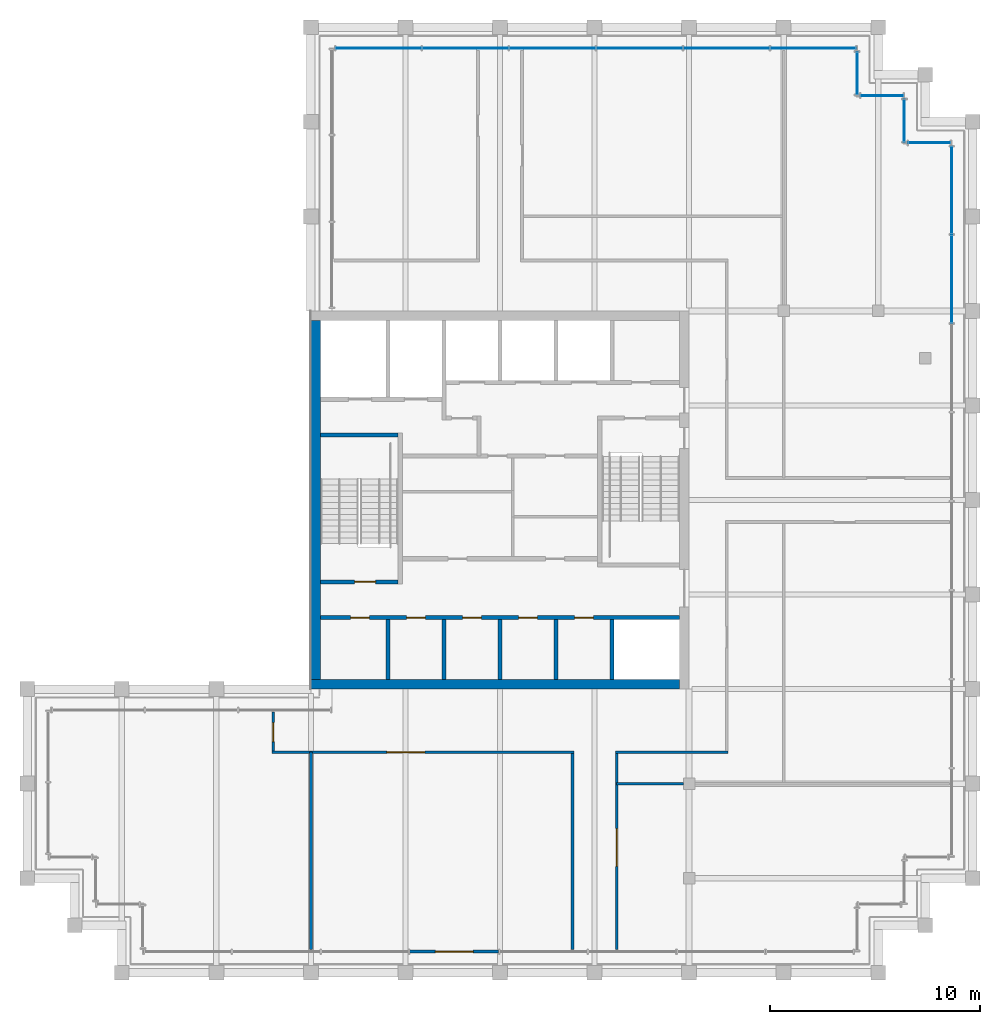
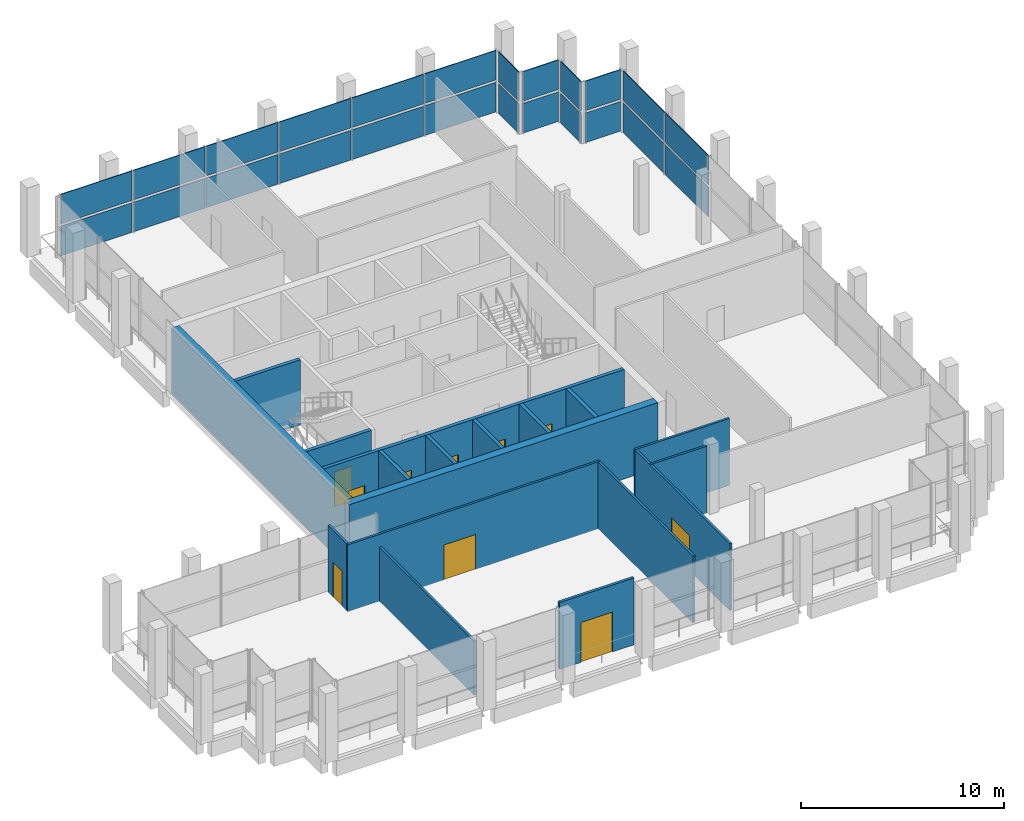
# One storey, part 14 of 17: 24 plates, 18 walls, 10 doors, 10 openings, 6 elements without a shape of their own.
"""IFC4 building model written with IfcOpenShell, lengths in metres."""

from ifc_helpers import new_model, si_unit, direction, frame, frame_2d, origin, origin_2d, place, context, subcontext, project, spatial, rectangle, extrude, material, layer, layer_set, type_object, element, fill, aggregate, save


model = new_model("IFC4")

# Units and contexts
model_context = context("Model", 3, precision=1e-05, world=origin(), true_north=direction((0.0, 1.0)))
body_context = subcontext(model_context, "Body", "Model", "MODEL_VIEW")
ifc_project = project(units=[si_unit("LENGTHUNIT", "METRE"), si_unit("AREAUNIT", "SQUARE_METRE"), si_unit("VOLUMEUNIT", "CUBIC_METRE"), si_unit("PLANEANGLEUNIT", "RADIAN"), si_unit("MASSUNIT", "GRAM", prefix="KILO")], contexts=[model_context])

# Site, building, storey
site_placement = place(None, origin())
site = spatial("IfcSite", under=ifc_project, at=site_placement, CompositionType="ELEMENT")
building_placement = place(site_placement, origin())
building = spatial("IfcBuilding", under=site, at=building_placement, Name="Altepetl Exchange Towers", CompositionType="ELEMENT")
storey_placement = place(building_placement, frame((0.0, 0.0, 259.39990234375)))
storey = spatial("IfcBuildingStorey", under=building, at=storey_placement, Name="L66", CompositionType="ELEMENT", Elevation=259.39990234375)

# Curtain wall, plates
ifc_material_1 = material(Name="Aluminium 6063-T6 glazing", Category="aluminium")
curtain_wall_type = type_object("IfcCurtainWallType", Name="Executive flush glazing system", PredefinedType="NOTDEFINED", material=ifc_material_1)
curtain_wall_1_placement = place(storey_placement, origin())
curtain_wall_1 = element("IfcCurtainWall", 1, at=curtain_wall_1_placement, inside=storey, type_object=curtain_wall_type, Name="CW4 run", PredefinedType="NOTDEFINED")
ifc_material_2 = material(Name="Glass 10-24-10 laminated", Category="glass")
ifc_layer_1 = layer(ifc_material_2, 0.0439453125)
ifc_layer_set_1 = layer_set([ifc_layer_1], Name="Glass 10-24-10 laminated")
plate_type = type_object("IfcPlateType", Name="Glass panel 44 laminated", PredefinedType="CURTAIN_PANEL", material=ifc_layer_set_1)
plate_1_placement = place(storey_placement, frame((71.0, 60.0234375, 0.0), z_axis=(0.0, 0.0, 1.0), x_axis=(0.0, 1.0, 0.0)))
plate_1 = element("IfcPlate", 2, at=plate_1_placement, type_object=plate_type, Name="GP3 panel", PredefinedType="CURTAIN_PANEL", context=body_context, shape_type="SweptSolid", body=[
    extrude(rectangle(XDim=4.17431640625, YDim=0.0439453125, at=origin_2d()), origin(), (0.0, 0.0, 1.0), 1.780029296875),
])
plate_2_placement = place(storey_placement, frame((71.0, 60.0234375, 1.919921875), z_axis=(0.0, 0.0, 1.0), x_axis=(0.0, 1.0, 0.0)))
plate_2 = element("IfcPlate", 3, at=plate_2_placement, type_object=plate_type, Name="GP3 panel", PredefinedType="CURTAIN_PANEL", context=body_context, shape_type="SweptSolid", body=[
    extrude(rectangle(XDim=4.17431640625, YDim=0.0439453125, at=origin_2d()), origin(), (0.0, 0.0, 1.0), 1.780029296875),
])
plate_3_placement = place(storey_placement, frame((71.0, 64.242919921875, 0.0), z_axis=(0.0, 0.0, 1.0), x_axis=(0.0, 1.0, 0.0)))
plate_3 = element("IfcPlate", 4, at=plate_3_placement, type_object=plate_type, Name="GP3 panel", PredefinedType="CURTAIN_PANEL", context=body_context, shape_type="SweptSolid", body=[
    extrude(rectangle(XDim=4.144287109375, YDim=0.0439453125, at=origin_2d()), origin(), (0.0, 0.0, 1.0), 1.780029296875),
])
plate_4_placement = place(storey_placement, frame((71.0, 64.242919921875, 1.919921875), z_axis=(0.0, 0.0, 1.0), x_axis=(0.0, 1.0, 0.0)))
plate_4 = element("IfcPlate", 5, at=plate_4_placement, type_object=plate_type, Name="GP3 panel", PredefinedType="CURTAIN_PANEL", context=body_context, shape_type="SweptSolid", body=[
    extrude(rectangle(XDim=4.144287109375, YDim=0.0439453125, at=origin_2d()), origin(), (0.0, 0.0, 1.0), 1.780029296875),
])
aggregate(curtain_wall_1, [plate_1, plate_2, plate_3, plate_4])

curtain_wall_2_placement = place(storey_placement, origin())
curtain_wall_2 = element("IfcCurtainWall", 6, at=curtain_wall_2_placement, inside=storey, type_object=curtain_wall_type, Name="CW4 run", PredefinedType="NOTDEFINED")
plate_5_placement = place(storey_placement, frame((69.9375, 66.5, 0.0), z_axis=(0.0, 0.0, 1.0), x_axis=(-1.0, 0.0, 0.0)))
plate_5 = element("IfcPlate", 7, at=plate_5_placement, type_object=plate_type, Name="GP3 panel", PredefinedType="CURTAIN_PANEL", context=body_context, shape_type="SweptSolid", body=[
    extrude(rectangle(XDim=2.0048828125, YDim=0.0439453125, at=origin_2d()), origin(), (0.0, 0.0, 1.0), 1.780029296875),
])
plate_6_placement = place(storey_placement, frame((69.9375, 66.5, 1.919921875), z_axis=(0.0, 0.0, 1.0), x_axis=(-1.0, 0.0, 0.0)))
plate_6 = element("IfcPlate", 8, at=plate_6_placement, type_object=plate_type, Name="GP3 panel", PredefinedType="CURTAIN_PANEL", context=body_context, shape_type="SweptSolid", body=[
    extrude(rectangle(XDim=2.0048828125, YDim=0.0439453125, at=origin_2d()), origin(), (0.0, 0.0, 1.0), 1.780029296875),
])
aggregate(curtain_wall_2, [plate_5, plate_6])

curtain_wall_3_placement = place(storey_placement, origin())
curtain_wall_3 = element("IfcCurtainWall", 9, at=curtain_wall_3_placement, inside=storey, type_object=curtain_wall_type, Name="CW4 run", PredefinedType="NOTDEFINED")
plate_7_placement = place(storey_placement, frame((68.75, 67.5625, 0.0), z_axis=(0.0, 0.0, 1.0), x_axis=(0.0, 1.0, 0.0)))
plate_7 = element("IfcPlate", 10, at=plate_7_placement, type_object=plate_type, Name="GP3 panel", PredefinedType="CURTAIN_PANEL", context=body_context, shape_type="SweptSolid", body=[
    extrude(rectangle(XDim=2.0048828125, YDim=0.0439453125, at=origin_2d()), origin(), (0.0, 0.0, 1.0), 1.780029296875),
])
plate_8_placement = place(storey_placement, frame((68.75, 67.5625, 1.919921875), z_axis=(0.0, 0.0, 1.0), x_axis=(0.0, 1.0, 0.0)))
plate_8 = element("IfcPlate", 11, at=plate_8_placement, type_object=plate_type, Name="GP3 panel", PredefinedType="CURTAIN_PANEL", context=body_context, shape_type="SweptSolid", body=[
    extrude(rectangle(XDim=2.0048828125, YDim=0.0439453125, at=origin_2d()), origin(), (0.0, 0.0, 1.0), 1.780029296875),
])
aggregate(curtain_wall_3, [plate_7, plate_8])

curtain_wall_4_placement = place(storey_placement, origin())
curtain_wall_4 = element("IfcCurtainWall", 12, at=curtain_wall_4_placement, inside=storey, type_object=curtain_wall_type, Name="CW4 run", PredefinedType="NOTDEFINED")
plate_9_placement = place(storey_placement, frame((67.6875, 68.75, 0.0), z_axis=(0.0, 0.0, 1.0), x_axis=(-1.0, 0.0, 0.0)))
plate_9 = element("IfcPlate", 13, at=plate_9_placement, type_object=plate_type, Name="GP3 panel", PredefinedType="CURTAIN_PANEL", context=body_context, shape_type="SweptSolid", body=[
    extrude(rectangle(XDim=2.0048828125, YDim=0.0439453125, at=origin_2d()), origin(), (0.0, 0.0, 1.0), 1.780029296875),
])
plate_10_placement = place(storey_placement, frame((67.6875, 68.75, 1.919921875), z_axis=(0.0, 0.0, 1.0), x_axis=(-1.0, 0.0, 0.0)))
plate_10 = element("IfcPlate", 14, at=plate_10_placement, type_object=plate_type, Name="GP3 panel", PredefinedType="CURTAIN_PANEL", context=body_context, shape_type="SweptSolid", body=[
    extrude(rectangle(XDim=2.0048828125, YDim=0.0439453125, at=origin_2d()), origin(), (0.0, 0.0, 1.0), 1.780029296875),
])
aggregate(curtain_wall_4, [plate_9, plate_10])

curtain_wall_5_placement = place(storey_placement, origin())
curtain_wall_5 = element("IfcCurtainWall", 15, at=curtain_wall_5_placement, inside=storey, type_object=curtain_wall_type, Name="CW4 run", PredefinedType="NOTDEFINED")
plate_11_placement = place(storey_placement, frame((66.5, 69.8125, 0.0), z_axis=(0.0, 0.0, 1.0), x_axis=(0.0, 1.0, 0.0)))
plate_11 = element("IfcPlate", 16, at=plate_11_placement, type_object=plate_type, Name="GP3 panel", PredefinedType="CURTAIN_PANEL", context=body_context, shape_type="SweptSolid", body=[
    extrude(rectangle(XDim=2.0048828125, YDim=0.0439453125, at=origin_2d()), origin(), (0.0, 0.0, 1.0), 1.780029296875),
])
plate_12_placement = place(storey_placement, frame((66.5, 69.8125, 1.919921875), z_axis=(0.0, 0.0, 1.0), x_axis=(0.0, 1.0, 0.0)))
plate_12 = element("IfcPlate", 17, at=plate_12_placement, type_object=plate_type, Name="GP3 panel", PredefinedType="CURTAIN_PANEL", context=body_context, shape_type="SweptSolid", body=[
    extrude(rectangle(XDim=2.0048828125, YDim=0.0439453125, at=origin_2d()), origin(), (0.0, 0.0, 1.0), 1.780029296875),
])
aggregate(curtain_wall_5, [plate_11, plate_12])

curtain_wall_6_placement = place(storey_placement, origin())
curtain_wall_6 = element("IfcCurtainWall", 18, at=curtain_wall_6_placement, inside=storey, type_object=curtain_wall_type, Name="CW4 run", PredefinedType="NOTDEFINED")
plate_13_placement = place(storey_placement, frame((64.412109375, 71.0, 0.0), z_axis=(0.0, 0.0, 1.0), x_axis=(-1.0, 0.0, 0.0)))
plate_13 = element("IfcPlate", 19, at=plate_13_placement, type_object=plate_type, Name="GP3 panel", PredefinedType="CURTAIN_PANEL", context=body_context, shape_type="SweptSolid", body=[
    extrude(rectangle(XDim=4.055908203125, YDim=0.0439453125, at=origin_2d()), origin(), (0.0, 0.0, 1.0), 1.780029296875),
])
plate_14_placement = place(storey_placement, frame((64.412109375, 71.0, 1.919921875), z_axis=(0.0, 0.0, 1.0), x_axis=(-1.0, 0.0, 0.0)))
plate_14 = element("IfcPlate", 20, at=plate_14_placement, type_object=plate_type, Name="GP3 panel", PredefinedType="CURTAIN_PANEL", context=body_context, shape_type="SweptSolid", body=[
    extrude(rectangle(XDim=4.055908203125, YDim=0.0439453125, at=origin_2d()), origin(), (0.0, 0.0, 1.0), 1.780029296875),
])
plate_15_placement = place(storey_placement, frame((60.28125, 71.0, 0.0), z_axis=(0.0, 0.0, 1.0), x_axis=(-1.0, 0.0, 0.0)))
plate_15 = element("IfcPlate", 21, at=plate_15_placement, type_object=plate_type, Name="GP3 panel", PredefinedType="CURTAIN_PANEL", context=body_context, shape_type="SweptSolid", body=[
    extrude(rectangle(XDim=4.0859375, YDim=0.0439453125, at=origin_2d()), origin(), (0.0, 0.0, 1.0), 1.780029296875),
])
plate_16_placement = place(storey_placement, frame((60.28125, 71.0, 1.919921875), z_axis=(0.0, 0.0, 1.0), x_axis=(-1.0, 0.0, 0.0)))
plate_16 = element("IfcPlate", 22, at=plate_16_placement, type_object=plate_type, Name="GP3 panel", PredefinedType="CURTAIN_PANEL", context=body_context, shape_type="SweptSolid", body=[
    extrude(rectangle(XDim=4.0859375, YDim=0.0439453125, at=origin_2d()), origin(), (0.0, 0.0, 1.0), 1.780029296875),
])
plate_17_placement = place(storey_placement, frame((56.135498046875, 71.0, 0.0), z_axis=(0.0, 0.0, 1.0), x_axis=(-1.0, 0.0, 0.0)))
plate_17 = element("IfcPlate", 23, at=plate_17_placement, type_object=plate_type, Name="GP3 panel", PredefinedType="CURTAIN_PANEL", context=body_context, shape_type="SweptSolid", body=[
    extrude(rectangle(XDim=4.0859375, YDim=0.0439453125, at=origin_2d()), origin(), (0.0, 0.0, 1.0), 1.780029296875),
])
plate_18_placement = place(storey_placement, frame((56.135498046875, 71.0, 1.919921875), z_axis=(0.0, 0.0, 1.0), x_axis=(-1.0, 0.0, 0.0)))
plate_18 = element("IfcPlate", 24, at=plate_18_placement, type_object=plate_type, Name="GP3 panel", PredefinedType="CURTAIN_PANEL", context=body_context, shape_type="SweptSolid", body=[
    extrude(rectangle(XDim=4.0859375, YDim=0.0439453125, at=origin_2d()), origin(), (0.0, 0.0, 1.0), 1.780029296875),
])
plate_19_placement = place(storey_placement, frame((51.989501953125, 71.0, 0.0), z_axis=(0.0, 0.0, 1.0), x_axis=(-1.0, 0.0, 0.0)))
plate_19 = element("IfcPlate", 25, at=plate_19_placement, type_object=plate_type, Name="GP3 panel", PredefinedType="CURTAIN_PANEL", context=body_context, shape_type="SweptSolid", body=[
    extrude(rectangle(XDim=4.0859375, YDim=0.0439453125, at=origin_2d()), origin(), (0.0, 0.0, 1.0), 1.780029296875),
])
plate_20_placement = place(storey_placement, frame((51.989501953125, 71.0, 1.919921875), z_axis=(0.0, 0.0, 1.0), x_axis=(-1.0, 0.0, 0.0)))
plate_20 = element("IfcPlate", 26, at=plate_20_placement, type_object=plate_type, Name="GP3 panel", PredefinedType="CURTAIN_PANEL", context=body_context, shape_type="SweptSolid", body=[
    extrude(rectangle(XDim=4.0859375, YDim=0.0439453125, at=origin_2d()), origin(), (0.0, 0.0, 1.0), 1.780029296875),
])
plate_21_placement = place(storey_placement, frame((47.84375, 71.0, 0.0), z_axis=(0.0, 0.0, 1.0), x_axis=(-1.0, 0.0, 0.0)))
plate_21 = element("IfcPlate", 27, at=plate_21_placement, type_object=plate_type, Name="GP3 panel", PredefinedType="CURTAIN_PANEL", context=body_context, shape_type="SweptSolid", body=[
    extrude(rectangle(XDim=4.0859375, YDim=0.0439453125, at=origin_2d()), origin(), (0.0, 0.0, 1.0), 1.780029296875),
])
plate_22_placement = place(storey_placement, frame((47.84375, 71.0, 1.919921875), z_axis=(0.0, 0.0, 1.0), x_axis=(-1.0, 0.0, 0.0)))
plate_22 = element("IfcPlate", 28, at=plate_22_placement, type_object=plate_type, Name="GP3 panel", PredefinedType="CURTAIN_PANEL", context=body_context, shape_type="SweptSolid", body=[
    extrude(rectangle(XDim=4.0859375, YDim=0.0439453125, at=origin_2d()), origin(), (0.0, 0.0, 1.0), 1.780029296875),
])
plate_23_placement = place(storey_placement, frame((43.712890625, 71.0, 0.0), z_axis=(0.0, 0.0, 1.0), x_axis=(-1.0, 0.0, 0.0)))
plate_23 = element("IfcPlate", 29, at=plate_23_placement, type_object=plate_type, Name="GP3 panel", PredefinedType="CURTAIN_PANEL", context=body_context, shape_type="SweptSolid", body=[
    extrude(rectangle(XDim=4.055908203125, YDim=0.0439453125, at=origin_2d()), origin(), (0.0, 0.0, 1.0), 1.780029296875),
])
plate_24_placement = place(storey_placement, frame((43.712890625, 71.0, 1.919921875), z_axis=(0.0, 0.0, 1.0), x_axis=(-1.0, 0.0, 0.0)))
plate_24 = element("IfcPlate", 30, at=plate_24_placement, type_object=plate_type, Name="GP3 panel", PredefinedType="CURTAIN_PANEL", context=body_context, shape_type="SweptSolid", body=[
    extrude(rectangle(XDim=4.055908203125, YDim=0.0439453125, at=origin_2d()), origin(), (0.0, 0.0, 1.0), 1.780029296875),
])
aggregate(curtain_wall_6, [plate_13, plate_14, plate_15, plate_16, plate_17, plate_18, plate_19, plate_20, plate_21, plate_22, plate_23, plate_24])

# Walls
ifc_material_3 = material(Name="Concrete C70/85", Category="concrete")
ifc_layer_2 = layer(ifc_material_3, 0.449951171875)
ifc_layer_set_2 = layer_set([ifc_layer_2], Name="Concrete C70/85")
wall_type_1 = type_object("IfcWallType", Name="Core wall 450 reinforced concrete", PredefinedType="SHEAR", material=ifc_layer_set_2)
wall_1_placement = place(storey_placement, frame((40.5, 40.72509765625, 0.0)))
element("IfcWall", 31, at=wall_1_placement, inside=storey, type_object=wall_type_1, Name="wall:A:L66:K-coreS", PredefinedType="SHEAR", context=body_context, shape_type="SweptSolid", body=[
    extrude(rectangle(XDim=17.550048828125, YDim=0.449951171875, at=frame_2d((8.77490234375, 0.0))), origin(), (0.0, 0.0, 1.0), 3.925048828125),
])
ifc_layer_3 = layer(ifc_material_3, 0.449951171875)
ifc_layer_set_3 = layer_set([ifc_layer_3], Name="Concrete C70/85")
wall_type_2 = type_object("IfcWallType", Name="Core wall 450 reinforced concrete external", PredefinedType="SHEAR", material=ifc_layer_set_3)
wall_2_placement = place(storey_placement, frame((40.72509765625, 40.949951171875, 0.0), z_axis=(0.0, 0.0, 1.0), x_axis=(0.0, 1.0, 0.0)))
element("IfcWall", 32, at=wall_2_placement, inside=storey, type_object=wall_type_2, Name="wall:A:L66:K-coreW", PredefinedType="SHEAR", context=body_context, shape_type="SweptSolid", body=[
    extrude(rectangle(XDim=17.10009765625, YDim=0.449951171875, at=frame_2d((8.550048828125, 0.0))), origin(), (0.0, 0.0, 1.0), 3.925048828125),
])

# Wall, opening, door
ifc_material_4 = material(Name="Aluminium composite cladding", Category="aluminium")
ifc_layer_4 = layer(ifc_material_4, 0.14990234375)
ifc_layer_set_4 = layer_set([ifc_layer_4], Name="Aluminium composite cladding")
wall_type_3 = type_object("IfcWallType", Name="Infill wall 150 aluminium panel", PredefinedType="SOLIDWALL", material=ifc_layer_set_4)
wall_3_placement = place(storey_placement, frame((45.203125, 28.0, 0.0)))
wall_3 = element("IfcWall", 33, at=wall_3_placement, inside=storey, type_object=wall_type_3, Name="Loggia door bay wall", PredefinedType="SOLIDWALL", context=body_context, shape_type="SweptSolid", body=[
    extrude(rectangle(XDim=4.234375, YDim=0.14990234375, at=frame_2d((2.1171875, 0.0))), origin(), (0.0, 0.0, 1.0), 4.025146484375),
])
opening_1_placement = place(wall_3_placement, frame((1.21728515625, 0.0, 0.0)))
opening_1 = element("IfcOpeningElement", 34, at=opening_1_placement, cuts=wall_3, Name="Opening L66.A90", PredefinedType="OPENING", context=body_context, shape_type="SweptSolid", body=[
    extrude(rectangle(XDim=1.800048828125, YDim=2.39990234375, at=frame_2d((0.89990234375, 1.199951171875))), frame((0.0, 0.0849609375, 0.0), z_axis=(0.0, -1.0, 0.0), x_axis=(1.0, 0.0, 0.0)), (0.0, 0.0, 1.0), 0.169921875),
])
ifc_material_5 = material(Name="Aluminium 6063-T6 and glass", Category="aluminium")
door_type_1 = type_object("IfcDoorType", Name="Glazed door pair 1800x2400", OperationType="DOUBLE_DOOR_DOUBLE_SWING", PredefinedType="NOTDEFINED", material=ifc_material_5)
door_1_placement = place(opening_1_placement, frame((1.800048828125, 0.0, 0.0), x_axis=(-1.0, 0.0, 0.0)))
door_1 = element("IfcDoor", 35, at=door_1_placement, inside=storey, type_object=door_type_1, Name="Loggia door", OperationType="DOUBLE_DOOR_DOUBLE_SWING", OverallHeight=2.39990234375, OverallWidth=1.800048828125, PredefinedType="NOTDEFINED", context=body_context, shape_type="SweptSolid", body=[
    extrude(rectangle(XDim=1.800048828125, YDim=2.39990234375, at=frame_2d((0.89990234375, 1.199951171875))), frame((0.0, 0.02490234375, 0.0), z_axis=(0.0, -1.0, 0.0), x_axis=(1.0, 0.0, 0.0)), (0.0, 0.0, 1.0), 0.050048828125),
])
fill(opening_1, door_1)

# Wall
ifc_material_6 = material(Name="Gypsum board on steel studs", Category="steel")
ifc_layer_5 = layer(ifc_material_6, 0.125)
ifc_layer_set_5 = layer_set([ifc_layer_5], Name="Gypsum board on steel studs")
wall_type_4 = type_object("IfcWallType", Name="Partition 125 gypsum board on steel studs", PredefinedType="PARTITIONING", material=ifc_layer_set_5)
wall_4_placement = place(storey_placement, frame((55.050048828125, 36.0, 0.0)))
element("IfcWall", 36, at=wall_4_placement, inside=storey, type_object=wall_type_4, Name="wall:A:L66:P01", PredefinedType="PARTITIONING", context=body_context, shape_type="SweptSolid", body=[
    extrude(rectangle(XDim=3.175048828125, YDim=0.125, at=frame_2d((1.58740234375, 0.0))), origin(), (0.0, 0.0, 1.0), 4.025146484375),
])

# Wall, opening, door
wall_5_placement = place(storey_placement, frame((38.637451171875, 37.5, 0.0)))
wall_5 = element("IfcWall", 37, at=wall_5_placement, inside=storey, type_object=wall_type_4, Name="wall:A:L66:P03", PredefinedType="PARTITIONING", context=body_context, shape_type="SweptSolid", body=[
    extrude(rectangle(XDim=14.375, YDim=0.125, at=frame_2d((7.1875, 0.0))), origin(), (0.0, 0.0, 1.0), 4.025146484375),
])
opening_2_placement = place(wall_5_placement, frame((5.4814453125, 0.0, 0.0)))
opening_2 = element("IfcOpeningElement", 38, at=opening_2_placement, cuts=wall_5, Name="Opening L66.A02", PredefinedType="OPENING", context=body_context, shape_type="SweptSolid", body=[
    extrude(rectangle(XDim=1.800048828125, YDim=2.10009765625, at=frame_2d((0.89990234375, 1.050048828125))), frame((0.0, 0.072509765625, 0.0), z_axis=(0.0, -1.0, 0.0), x_axis=(1.0, 0.0, 0.0)), (0.0, 0.0, 1.0), 0.14501953125),
])
ifc_material_7 = material(Name="Steel and timber fire door", Category="steel")
door_type_2 = type_object("IfcDoorType", Name="Fire door 1800 x 2100 double leaf", OperationType="DOUBLE_DOOR_SINGLE_SWING", PredefinedType="DOOR", material=ifc_material_7)
door_2_placement = place(opening_2_placement, frame((1.800048828125, 0.0, 0.0), x_axis=(-1.0, 0.0, 0.0)))
door_2 = element("IfcDoor", 39, at=door_2_placement, inside=storey, type_object=door_type_2, Name="door:A:L66:02", OperationType="DOUBLE_DOOR_SINGLE_SWING", OverallHeight=2.10009765625, OverallWidth=1.800048828125, PredefinedType="DOOR", context=body_context, shape_type="SweptSolid", body=[
    extrude(rectangle(XDim=1.800048828125, YDim=2.10009765625, at=frame_2d((0.89990234375, 1.050048828125))), frame((0.0, 0.02490234375, 0.0), z_axis=(0.0, -1.0, 0.0), x_axis=(1.0, 0.0, 0.0)), (0.0, 0.0, 1.0), 0.050048828125),
])
fill(opening_2, door_2)

# Wall
wall_6_placement = place(storey_placement, frame((54.987548828125, 37.5, 0.0)))
element("IfcWall", 40, at=wall_6_placement, inside=storey, type_object=wall_type_4, Name="wall:A:L66:P04", PredefinedType="PARTITIONING", context=body_context, shape_type="SweptSolid", body=[
    extrude(rectangle(XDim=5.375, YDim=0.125, at=frame_2d((2.6875, 0.0))), origin(), (0.0, 0.0, 1.0), 4.025146484375),
])

# Wall, opening, door
wall_7_placement = place(storey_placement, frame((38.699951171875, 37.5625, 0.0), z_axis=(0.0, 0.0, 1.0), x_axis=(0.0, 1.0, 0.0)))
wall_7 = element("IfcWall", 41, at=wall_7_placement, inside=storey, type_object=wall_type_4, Name="wall:A:L66:P10", PredefinedType="PARTITIONING", context=body_context, shape_type="SweptSolid", body=[
    extrude(rectangle(XDim=1.83740234375, YDim=0.125, at=frame_2d((0.918701171875, 0.0))), origin(), (0.0, 0.0, 1.0), 4.025146484375),
])
opening_3_placement = place(wall_7_placement, frame((0.4375, 0.0, 0.0)))
opening_3 = element("IfcOpeningElement", 42, at=opening_3_placement, cuts=wall_7, Name="Opening L66.A01", PredefinedType="OPENING", context=body_context, shape_type="SweptSolid", body=[
    extrude(rectangle(XDim=0.89990234375, YDim=2.10009765625, at=frame_2d((0.449951171875, 1.050048828125))), frame((0.0, 0.072509765625, 0.0), z_axis=(0.0, -1.0, 0.0), x_axis=(1.0, 0.0, 0.0)), (0.0, 0.0, 1.0), 0.14501953125),
])
door_type_3 = type_object("IfcDoorType", Name="Fire door 900 x 2100 single leaf", OperationType="SINGLE_SWING_LEFT", PredefinedType="DOOR", material=ifc_material_7)
door_3_placement = place(opening_3_placement, origin())
door_3 = element("IfcDoor", 43, at=door_3_placement, inside=storey, type_object=door_type_3, Name="door:A:L66:01", OperationType="SINGLE_SWING_RIGHT", OverallHeight=2.10009765625, OverallWidth=0.89990234375, PredefinedType="DOOR", context=body_context, shape_type="SweptSolid", body=[
    extrude(rectangle(XDim=0.89990234375, YDim=2.10009765625, at=frame_2d((0.449951171875, 1.050048828125))), frame((0.0, 0.02490234375, 0.0), z_axis=(0.0, -1.0, 0.0), x_axis=(1.0, 0.0, 0.0)), (0.0, 0.0, 1.0), 0.050048828125),
])
fill(opening_3, door_3)

# Walls
wall_8_placement = place(storey_placement, frame((40.5, 28.10009765625, 0.0), z_axis=(0.0, 0.0, 1.0), x_axis=(0.0, 1.0, 0.0)))
element("IfcWall", 44, at=wall_8_placement, inside=storey, type_object=wall_type_4, Name="wall:A:L66:P11", PredefinedType="PARTITIONING", context=body_context, shape_type="SweptSolid", body=[
    extrude(rectangle(XDim=9.39990234375, YDim=0.125, at=frame_2d((4.699951171875, 0.0))), origin(), (0.0, 0.0, 1.0), 3.26708984375),
])
wall_9_placement = place(storey_placement, frame((52.949951171875, 28.10009765625, 0.0), z_axis=(0.0, 0.0, 1.0), x_axis=(0.0, 1.0, 0.0)))
element("IfcWall", 45, at=wall_9_placement, inside=storey, type_object=wall_type_4, Name="wall:A:L66:P14", PredefinedType="PARTITIONING", context=body_context, shape_type="SweptSolid", body=[
    extrude(rectangle(XDim=9.33740234375, YDim=0.125, at=frame_2d((4.668701171875, 0.0))), origin(), (0.0, 0.0, 1.0), 4.025146484375),
])

# Wall, opening, door
wall_10_placement = place(storey_placement, frame((55.050048828125, 28.10009765625, 0.0), z_axis=(0.0, 0.0, 1.0), x_axis=(0.0, 1.0, 0.0)))
wall_10 = element("IfcWall", 46, at=wall_10_placement, inside=storey, type_object=wall_type_4, Name="wall:A:L66:P15", PredefinedType="PARTITIONING", context=body_context, shape_type="SweptSolid", body=[
    extrude(rectangle(XDim=9.33740234375, YDim=0.125, at=frame_2d((4.668701171875, 0.0))), origin(), (0.0, 0.0, 1.0), 4.025146484375),
])
opening_4_placement = place(wall_10_placement, frame((3.9599609375, 0.0, 0.0)))
opening_4 = element("IfcOpeningElement", 47, at=opening_4_placement, cuts=wall_10, Name="Opening L66.A03", PredefinedType="OPENING", context=body_context, shape_type="SweptSolid", body=[
    extrude(rectangle(XDim=1.800048828125, YDim=2.10009765625, at=frame_2d((0.89990234375, 1.050048828125))), frame((0.0, 0.072509765625, 0.0), z_axis=(0.0, -1.0, 0.0), x_axis=(1.0, 0.0, 0.0)), (0.0, 0.0, 1.0), 0.14501953125),
])
door_4_placement = place(opening_4_placement, frame((1.800048828125, 0.0, 0.0), x_axis=(-1.0, 0.0, 0.0)))
door_4 = element("IfcDoor", 48, at=door_4_placement, inside=storey, type_object=door_type_2, Name="door:A:L66:03", OperationType="DOUBLE_DOOR_SINGLE_SWING", OverallHeight=2.10009765625, OverallWidth=1.800048828125, PredefinedType="DOOR", context=body_context, shape_type="SweptSolid", body=[
    extrude(rectangle(XDim=1.800048828125, YDim=2.10009765625, at=frame_2d((0.89990234375, 1.050048828125))), frame((0.0, 0.02490234375, 0.0), z_axis=(0.0, -1.0, 0.0), x_axis=(1.0, 0.0, 0.0)), (0.0, 0.0, 1.0), 0.050048828125),
])
fill(opening_4, door_4)

# Wall
ifc_material_8 = material(Name="Concrete C40/50", Category="concrete")
ifc_layer_6 = layer(ifc_material_8, 0.199951171875)
ifc_layer_set_6 = layer_set([ifc_layer_6], Name="Concrete C40/50")
wall_type_5 = type_object("IfcWallType", Name="Shaft wall 200 reinforced concrete", PredefinedType="SHEAR", material=ifc_layer_set_6)
wall_11_placement = place(storey_placement, frame((54.833251953125, 40.949951171875, 0.0), z_axis=(0.0, 0.0, 1.0), x_axis=(0.0, 1.0, 0.0)))
element("IfcWall", 49, at=wall_11_placement, inside=storey, type_object=wall_type_5, Name="wall:A:L66:K-divS5", PredefinedType="SHEAR", context=body_context, shape_type="SweptSolid", body=[
    extrude(rectangle(XDim=2.85009765625, YDim=0.199951171875, at=frame_2d((1.425048828125, 0.0))), origin(), (0.0, 0.0, 1.0), 3.925048828125),
])

# Wall, openings, doors
wall_12_placement = place(storey_placement, frame((40.949951171875, 43.89990234375, 0.0)))
wall_12 = element("IfcWall", 50, at=wall_12_placement, inside=storey, type_object=wall_type_5, Name="wall:A:L66:K-frontS", PredefinedType="SHEAR", context=body_context, shape_type="SweptSolid", body=[
    extrude(rectangle(XDim=17.10009765625, YDim=0.199951171875, at=frame_2d((8.550048828125, 0.0))), origin(), (0.0, 0.0, 1.0), 3.925048828125),
])
opening_5_placement = place(wall_12_placement, frame((1.433349609375, 0.0, 0.0)))
opening_5 = element("IfcOpeningElement", 51, at=opening_5_placement, cuts=wall_12, Name="Opening L66.A67", PredefinedType="OPENING", context=body_context, shape_type="SweptSolid", body=[
    extrude(rectangle(XDim=0.89990234375, YDim=2.10009765625, at=frame_2d((0.449951171875, 1.050048828125))), frame((0.0, 0.10986328125, 0.0), z_axis=(0.0, -1.0, 0.0), x_axis=(1.0, 0.0, 0.0)), (0.0, 0.0, 1.0), 0.219970703125),
])
opening_6_placement = place(wall_12_placement, frame((4.10009765625, 0.0, 0.0)))
opening_6 = element("IfcOpeningElement", 52, at=opening_6_placement, cuts=wall_12, Name="Opening L66.A68", PredefinedType="OPENING", context=body_context, shape_type="SweptSolid", body=[
    extrude(rectangle(XDim=0.89990234375, YDim=2.10009765625, at=frame_2d((0.449951171875, 1.050048828125))), frame((0.0, 0.10986328125, 0.0), z_axis=(0.0, -1.0, 0.0), x_axis=(1.0, 0.0, 0.0)), (0.0, 0.0, 1.0), 0.219970703125),
])
opening_7_placement = place(wall_12_placement, frame((6.7666015625, 0.0, 0.0)))
opening_7 = element("IfcOpeningElement", 53, at=opening_7_placement, cuts=wall_12, Name="Opening L66.A69", PredefinedType="OPENING", context=body_context, shape_type="SweptSolid", body=[
    extrude(rectangle(XDim=0.89990234375, YDim=2.10009765625, at=frame_2d((0.449951171875, 1.050048828125))), frame((0.0, 0.10986328125, 0.0), z_axis=(0.0, -1.0, 0.0), x_axis=(1.0, 0.0, 0.0)), (0.0, 0.0, 1.0), 0.219970703125),
])
opening_8_placement = place(wall_12_placement, frame((9.433349609375, 0.0, 0.0)))
opening_8 = element("IfcOpeningElement", 54, at=opening_8_placement, cuts=wall_12, Name="Opening L66.A70", PredefinedType="OPENING", context=body_context, shape_type="SweptSolid", body=[
    extrude(rectangle(XDim=0.89990234375, YDim=2.10009765625, at=frame_2d((0.449951171875, 1.050048828125))), frame((0.0, 0.10986328125, 0.0), z_axis=(0.0, -1.0, 0.0), x_axis=(1.0, 0.0, 0.0)), (0.0, 0.0, 1.0), 0.219970703125),
])
opening_9_placement = place(wall_12_placement, frame((12.10009765625, 0.0, 0.0)))
opening_9 = element("IfcOpeningElement", 55, at=opening_9_placement, cuts=wall_12, Name="Opening L66.A71", PredefinedType="OPENING", context=body_context, shape_type="SweptSolid", body=[
    extrude(rectangle(XDim=0.89990234375, YDim=2.10009765625, at=frame_2d((0.449951171875, 1.050048828125))), frame((0.0, 0.10986328125, 0.0), z_axis=(0.0, -1.0, 0.0), x_axis=(1.0, 0.0, 0.0)), (0.0, 0.0, 1.0), 0.219970703125),
])
door_type_4 = type_object("IfcDoorType", Name="Fire door 900 x 2100 service room", OperationType="SINGLE_SWING_LEFT", PredefinedType="DOOR", material=ifc_material_7)
door_5_placement = place(opening_5_placement, frame((0.89990234375, 0.0, 0.0), x_axis=(-1.0, 0.0, 0.0)))
door_5 = element("IfcDoor", 56, at=door_5_placement, inside=storey, type_object=door_type_4, Name="door:A:L66:K-dslotS0", OperationType="SINGLE_SWING_LEFT", OverallHeight=2.10009765625, OverallWidth=0.89990234375, PredefinedType="DOOR", context=body_context, shape_type="SweptSolid", body=[
    extrude(rectangle(XDim=0.89990234375, YDim=2.10009765625, at=frame_2d((0.449951171875, 1.050048828125))), frame((0.0, 0.02490234375, 0.0), z_axis=(0.0, -1.0, 0.0), x_axis=(1.0, 0.0, 0.0)), (0.0, 0.0, 1.0), 0.050048828125),
])
fill(opening_5, door_5)
door_6_placement = place(opening_6_placement, frame((0.89990234375, 0.0, 0.0), x_axis=(-1.0, 0.0, 0.0)))
door_6 = element("IfcDoor", 57, at=door_6_placement, inside=storey, type_object=door_type_4, Name="door:A:L66:K-dslotS1", OperationType="SINGLE_SWING_LEFT", OverallHeight=2.10009765625, OverallWidth=0.89990234375, PredefinedType="DOOR", context=body_context, shape_type="SweptSolid", body=[
    extrude(rectangle(XDim=0.89990234375, YDim=2.10009765625, at=frame_2d((0.449951171875, 1.050048828125))), frame((0.0, 0.02490234375, 0.0), z_axis=(0.0, -1.0, 0.0), x_axis=(1.0, 0.0, 0.0)), (0.0, 0.0, 1.0), 0.050048828125),
])
fill(opening_6, door_6)
door_7_placement = place(opening_7_placement, frame((0.89990234375, 0.0, 0.0), x_axis=(-1.0, 0.0, 0.0)))
door_7 = element("IfcDoor", 58, at=door_7_placement, inside=storey, type_object=door_type_4, Name="door:A:L66:K-dslotS2", OperationType="SINGLE_SWING_LEFT", OverallHeight=2.10009765625, OverallWidth=0.89990234375, PredefinedType="DOOR", context=body_context, shape_type="SweptSolid", body=[
    extrude(rectangle(XDim=0.89990234375, YDim=2.10009765625, at=frame_2d((0.449951171875, 1.050048828125))), frame((0.0, 0.02490234375, 0.0), z_axis=(0.0, -1.0, 0.0), x_axis=(1.0, 0.0, 0.0)), (0.0, 0.0, 1.0), 0.050048828125),
])
fill(opening_7, door_7)
door_8_placement = place(opening_8_placement, frame((0.89990234375, 0.0, 0.0), x_axis=(-1.0, 0.0, 0.0)))
door_8 = element("IfcDoor", 59, at=door_8_placement, inside=storey, type_object=door_type_4, Name="door:A:L66:K-dslotS3", OperationType="SINGLE_SWING_LEFT", OverallHeight=2.10009765625, OverallWidth=0.89990234375, PredefinedType="DOOR", context=body_context, shape_type="SweptSolid", body=[
    extrude(rectangle(XDim=0.89990234375, YDim=2.10009765625, at=frame_2d((0.449951171875, 1.050048828125))), frame((0.0, 0.02490234375, 0.0), z_axis=(0.0, -1.0, 0.0), x_axis=(1.0, 0.0, 0.0)), (0.0, 0.0, 1.0), 0.050048828125),
])
fill(opening_8, door_8)
door_9_placement = place(opening_9_placement, frame((0.89990234375, 0.0, 0.0), x_axis=(-1.0, 0.0, 0.0)))
door_9 = element("IfcDoor", 60, at=door_9_placement, inside=storey, type_object=door_type_4, Name="door:A:L66:K-dslotS4", OperationType="SINGLE_SWING_LEFT", OverallHeight=2.10009765625, OverallWidth=0.89990234375, PredefinedType="DOOR", context=body_context, shape_type="SweptSolid", body=[
    extrude(rectangle(XDim=0.89990234375, YDim=2.10009765625, at=frame_2d((0.449951171875, 1.050048828125))), frame((0.0, 0.02490234375, 0.0), z_axis=(0.0, -1.0, 0.0), x_axis=(1.0, 0.0, 0.0)), (0.0, 0.0, 1.0), 0.050048828125),
])
fill(opening_9, door_9)

# Walls
ifc_layer_7 = layer(ifc_material_3, 0.199951171875)
ifc_layer_set_7 = layer_set([ifc_layer_7], Name="Concrete C70/85")
wall_type_6 = type_object("IfcWallType", Name="Shear wall 200 reinforced concrete", PredefinedType="SHEAR", material=ifc_layer_set_7)
for number, where, z_axis, x_axis, name in (
    (61, (44.166748046875, 40.949951171875, 0.0), (0.0, 0.0, 1.0), (0.0, 1.0, 0.0), "wall:A:L66:K-divS1"),
    (62, (46.833251953125, 40.949951171875, 0.0), (0.0, 0.0, 1.0), (0.0, 1.0, 0.0), "wall:A:L66:K-divS2"),
    (63, (49.5, 40.949951171875, 0.0), (0.0, 0.0, 1.0), (0.0, 1.0, 0.0), "wall:A:L66:K-divS3"),
    (64, (52.166748046875, 40.949951171875, 0.0), (0.0, 0.0, 1.0), (0.0, 1.0, 0.0), "wall:A:L66:K-divS4"),
):
    element("IfcWall", number, at=place(storey_placement, frame(where, z_axis=z_axis, x_axis=x_axis)), inside=storey, type_object=wall_type_6, Name=name, PredefinedType="SHEAR", context=body_context, shape_type="SweptSolid", body=[
        extrude(rectangle(XDim=2.85009765625, YDim=0.199951171875, at=frame_2d((1.425048828125, 0.0))), origin(), (0.0, 0.0, 1.0), 3.925048828125),
    ])
ifc_layer_8 = layer(ifc_material_8, 0.199951171875)
ifc_layer_set_8 = layer_set([ifc_layer_8], Name="Concrete C40/50")
wall_type_7 = type_object("IfcWallType", Name="Stair wall 200 reinforced concrete", PredefinedType="SHEAR", material=ifc_layer_set_8)
wall_13_placement = place(storey_placement, frame((40.949951171875, 52.60009765625, 0.0)))
element("IfcWall", 65, at=wall_13_placement, inside=storey, type_object=wall_type_7, Name="wall:A:L66:K-stS1N", PredefinedType="SHEAR", context=body_context, shape_type="SweptSolid", body=[
    extrude(rectangle(XDim=3.699951171875, YDim=0.199951171875, at=frame_2d((1.85009765625, 0.0))), origin(), (0.0, 0.0, 1.0), 3.925048828125),
])

# Wall, opening, door
wall_14_placement = place(storey_placement, frame((40.949951171875, 45.60009765625, 0.0)))
wall_14 = element("IfcWall", 66, at=wall_14_placement, inside=storey, type_object=wall_type_7, Name="wall:A:L66:K-stS1S", PredefinedType="SHEAR", context=body_context, shape_type="SweptSolid", body=[
    extrude(rectangle(XDim=3.699951171875, YDim=0.199951171875, at=frame_2d((1.85009765625, 0.0))), origin(), (0.0, 0.0, 1.0), 3.925048828125),
])
opening_10_placement = place(wall_14_placement, frame((1.625, 0.0, 0.0)))
opening_10 = element("IfcOpeningElement", 67, at=opening_10_placement, cuts=wall_14, Name="Opening L66.A62", PredefinedType="OPENING", context=body_context, shape_type="SweptSolid", body=[
    extrude(rectangle(XDim=1.0, YDim=2.10009765625, at=frame_2d((0.5, 1.050048828125))), frame((0.0, 0.10986328125, 0.0), z_axis=(0.0, -1.0, 0.0), x_axis=(1.0, 0.0, 0.0)), (0.0, 0.0, 1.0), 0.219970703125),
])
door_type_5 = type_object("IfcDoorType", Name="Fire door 1000 x 2100 stair and lobby", OperationType="SINGLE_SWING_LEFT", PredefinedType="DOOR", material=ifc_material_7)
door_10_placement = place(opening_10_placement, origin())
door_10 = element("IfcDoor", 68, at=door_10_placement, inside=storey, type_object=door_type_5, Name="door:A:L66:K-dS1in", OperationType="SINGLE_SWING_RIGHT", OverallHeight=2.10009765625, OverallWidth=1.0, PredefinedType="DOOR", context=body_context, shape_type="SweptSolid", body=[
    extrude(rectangle(XDim=1.0, YDim=2.10009765625, at=frame_2d((0.5, 1.050048828125))), frame((0.0, 0.02490234375, 0.0), z_axis=(0.0, -1.0, 0.0), x_axis=(1.0, 0.0, 0.0)), (0.0, 0.0, 1.0), 0.050048828125),
])
fill(opening_10, door_10)

save(model, "model.ifc")
